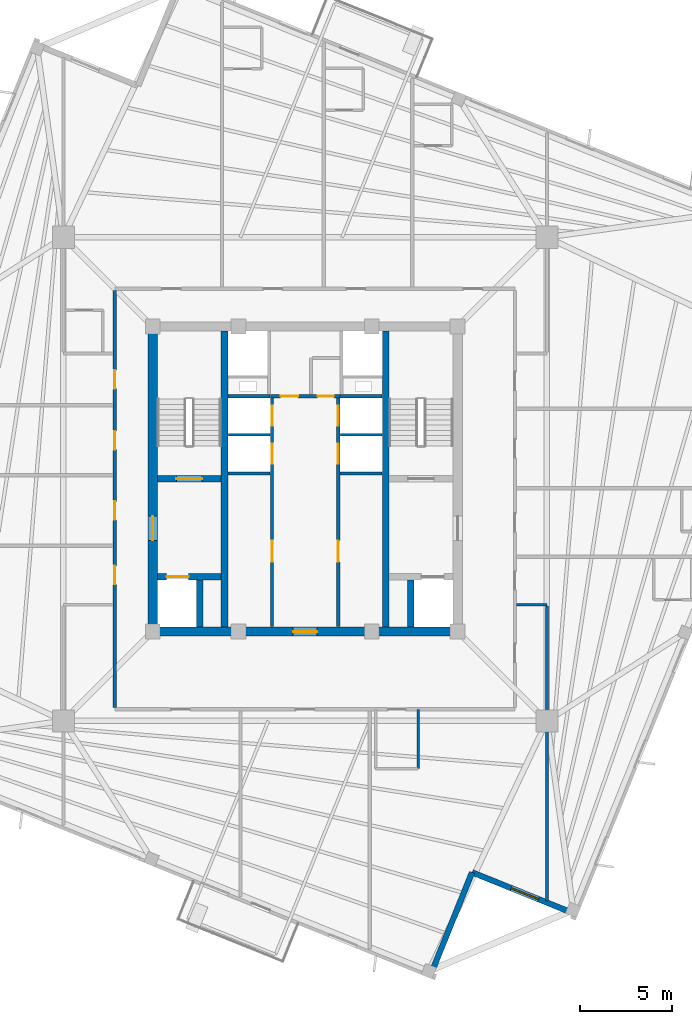
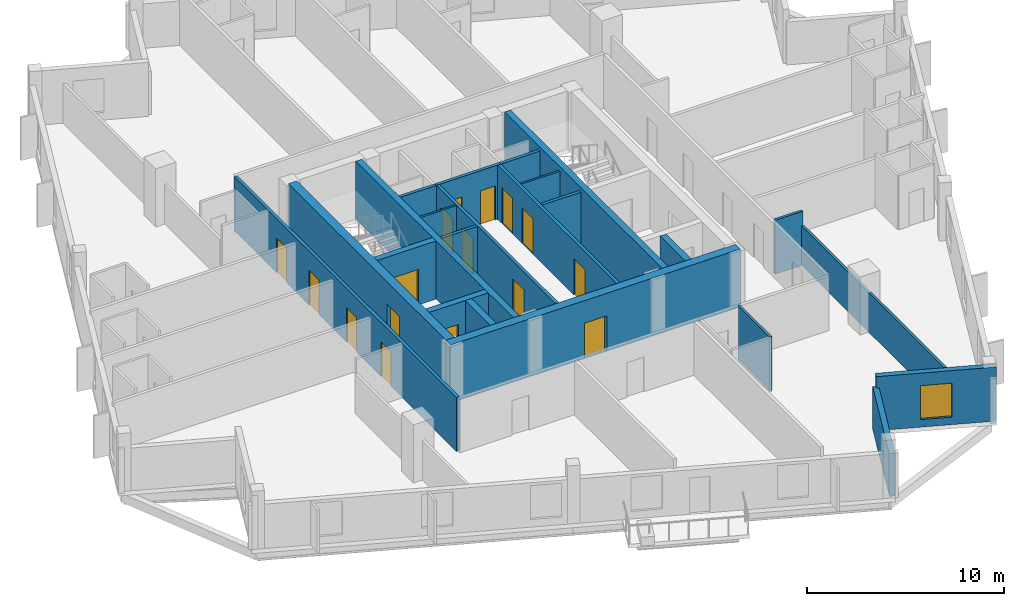
# One storey, part 3 of 9: 23 walls, 16 doors, 1 window, 17 openings.
"""IFC4 building model written with IfcOpenShell, lengths in metres."""

from ifc_helpers import new_model, si_unit, direction, frame, frame_2d, origin, place, context, subcontext, project, spatial, rectangle, extrude, source, transform, mapped, material, layer, layer_set, type_object, element, fill, save


model = new_model("IFC4")

# Units and contexts
model_context = context("Model", 3, precision=1e-05, world=origin(), true_north=direction((0.0, 1.0)))
body_context = subcontext(model_context, "Body", "Model", "MODEL_VIEW")
ifc_project = project(units=[si_unit("LENGTHUNIT", "METRE"), si_unit("AREAUNIT", "SQUARE_METRE"), si_unit("VOLUMEUNIT", "CUBIC_METRE"), si_unit("PLANEANGLEUNIT", "RADIAN"), si_unit("MASSUNIT", "GRAM", prefix="KILO"), si_unit("THERMODYNAMICTEMPERATUREUNIT", "KELVIN")], contexts=[model_context])

# Site, building, storey
site_placement = place(None, origin())
site = spatial("IfcSite", under=ifc_project, at=site_placement, CompositionType="ELEMENT")
building_placement = place(site_placement, origin())
building = spatial("IfcBuilding", under=site, at=building_placement, Name="Kosmvard Interchange Tower", CompositionType="ELEMENT")
storey_placement = place(building_placement, frame((0.0, 0.0, 297.60009765625)))
storey = spatial("IfcBuildingStorey", under=building, at=storey_placement, Name="L73", CompositionType="ELEMENT", Elevation=297.60009765625)

# Walls
ifc_material_1 = material(Name="Acoustic gypsum partition system")
ifc_layer_1 = layer(ifc_material_1, 0.14990234375, Name="Acoustic gypsum partition system")
ifc_layer_set_1 = layer_set([ifc_layer_1], Name="Acoustic gypsum partition system")
wall_type_1 = type_object("IfcWallType", Name="Acoustic Suite & Meeting Partition 150", PredefinedType="PARTITIONING", material=ifc_layer_set_1)
wall_1_placement = place(storey_placement, frame((11.445068359375, -6.800048828125, 0.0), z_axis=(0.0, 0.0, 1.0), x_axis=(1.0, 0.0, 0.0)))
element("IfcWall", 1, at=wall_1_placement, inside=storey, type_object=wall_type_1, Name="L73 Room Partition 16.1", PredefinedType="PARTITIONING", context=body_context, shape_type="SweptSolid", body=[
    extrude(rectangle(XDim=1.635986328125, YDim=0.14990234375, at=frame_2d((0.81787109375, 0.0))), origin(), (0.0, 0.0, 1.0), 3.349853515625),
])
wall_2_placement = place(storey_placement, frame((13.0810546875, -6.875, 0.0), z_axis=(0.0, 0.0, 1.0), x_axis=(0.0, -1.0, 0.0)))
element("IfcWall", 2, at=wall_2_placement, inside=storey, type_object=wall_type_1, Name="L73 Room Partition 17.1", PredefinedType="PARTITIONING", context=body_context, shape_type="SweptSolid", body=[
    extrude(rectangle(XDim=15.941650390625, YDim=0.14990234375, at=frame_2d((7.970703125, 0.0))), origin(), (0.0, 0.0, 1.0), 2.449951171875),
])

# Wall, openings, doors
ifc_material_2 = material(Name="Fire-rated gypsum partition system")
ifc_layer_2 = layer(ifc_material_2, 0.179931640625, Name="Fire-rated gypsum partition system")
ifc_layer_set_2 = layer_set([ifc_layer_2], Name="Fire-rated gypsum partition system")
wall_type_2 = type_object("IfcWallType", Name="Corridor & Hotel Compartment Partition 180", PredefinedType="PARTITIONING", material=ifc_layer_set_2)
wall_3_placement = place(storey_placement, frame((-1.7900390625, -7.97998046875, 0.0), z_axis=(0.0, 0.0, 1.0), x_axis=(0.0, 1.0, 0.0)))
wall_3 = element("IfcWall", 3, at=wall_3_placement, inside=storey, type_object=wall_type_2, Name="L73 West Lift Bank Front Wall", PredefinedType="PARTITIONING", context=body_context, shape_type="SweptSolid", body=[
    extrude(rectangle(XDim=12.3798828125, YDim=0.179931640625, at=frame_2d((6.18994140625, 0.0))), origin(), (0.0, 0.0, 1.0), 3.349853515625),
])
opening_1_placement = place(wall_3_placement, frame((8.800048828125, 0.0, 0.0)))
opening_1 = element("IfcOpeningElement", 4, at=opening_1_placement, cuts=wall_3, Name="Opening LD-PL-H1-L73", PredefinedType="OPENING", context=body_context, shape_type="SweptSolid", body=[
    extrude(rectangle(XDim=1.10009765625, YDim=2.199951171875, at=frame_2d((0.550048828125, 1.10009765625))), frame((0.0, 0.10009765625, 0.0), z_axis=(0.0, -1.0, 0.0), x_axis=(1.0, 0.0, 0.0)), (0.0, 0.0, 1.0), 0.199951171875),
])
opening_2_placement = place(wall_3_placement, frame((10.860107421875, 0.0, 0.0)))
opening_2 = element("IfcOpeningElement", 5, at=opening_2_placement, cuts=wall_3, Name="Opening LD-PL-H2-L73", PredefinedType="OPENING", context=body_context, shape_type="SweptSolid", body=[
    extrude(rectangle(XDim=1.10009765625, YDim=2.199951171875, at=frame_2d((0.550048828125, 1.10009765625))), frame((0.0, 0.10009765625, 0.0), z_axis=(0.0, -1.0, 0.0), x_axis=(1.0, 0.0, 0.0)), (0.0, 0.0, 1.0), 0.199951171875),
])
opening_3_placement = place(wall_3_placement, frame((3.5, 0.0, 0.0)))
opening_3 = element("IfcOpeningElement", 6, at=opening_3_placement, cuts=wall_3, Name="Opening L73-CD1", PredefinedType="OPENING", context=body_context, shape_type="SweptSolid", body=[
    extrude(rectangle(XDim=1.14990234375, YDim=2.25, at=frame_2d((0.574951171875, 1.125))), frame((0.0, 0.10009765625, 0.0), z_axis=(0.0, -1.0, 0.0), x_axis=(1.0, 0.0, 0.0)), (0.0, 0.0, 1.0), 0.199951171875),
])
ifc_material_3 = material(Name="Painted fire-rated steel leaf", Category="steel")
door_type_1 = type_object("IfcDoorType", Name="Plant & Riser Fire Door 1150x2250 EI60", OperationType="NOTDEFINED", PredefinedType="DOOR", material=ifc_material_3)
shared_shape_1 = source(origin(), body_context, "Body", "SweptSolid", [
    extrude(rectangle(XDim=1.14990234375, YDim=2.25, at=frame_2d((0.574951171875, 1.125))), frame((0.0, 0.02490234375, 0.0), z_axis=(0.0, -1.0, 0.0), x_axis=(1.0, 0.0, 0.0)), (0.0, 0.0, 1.0), 0.050048828125),
])
door_1_placement = place(opening_3_placement, origin())
door_1 = element("IfcDoor", 7, at=door_1_placement, inside=storey, type_object=door_type_1, Name="L73 Core Facility Store Door", OperationType="SINGLE_SWING_LEFT", OverallHeight=2.25, OverallWidth=1.14990234375, PredefinedType="DOOR", context=body_context, shape_type="MappedRepresentation", body=[
    mapped(shared_shape_1, transform((0.0, 0.0, 0.0), scale=1.0)),
])
fill(opening_3, door_1)
ifc_material_4 = material(Name="Brushed stainless steel sliding leaf", Category="steel")
door_type_2 = type_object("IfcDoorType", Name="Passenger Lift Sliding Landing Door 1100x2200 EI60", OperationType="DOUBLE_DOOR_SLIDING", PredefinedType="DOOR", material=ifc_material_4)
shared_shape_2 = source(origin(), body_context, "Body", "SweptSolid", [
    extrude(rectangle(XDim=1.10009765625, YDim=2.199951171875, at=frame_2d((0.550048828125, 1.10009765625))), frame((0.0, 0.02490234375, 0.0), z_axis=(0.0, -1.0, 0.0), x_axis=(1.0, 0.0, 0.0)), (0.0, 0.0, 1.0), 0.050048828125),
])
door_2_placement = place(opening_1_placement, frame((1.10009765625, 0.0, 0.0), z_axis=(0.0, 0.0, 1.0), x_axis=(-1.0, 0.0, 0.0)))
door_2 = element("IfcDoor", 8, at=door_2_placement, inside=storey, type_object=door_type_2, Name="Lift PL-H1 Landing Door L73", OperationType="DOUBLE_DOOR_SLIDING", OverallHeight=2.199951171875, OverallWidth=1.10009765625, PredefinedType="DOOR", context=body_context, shape_type="MappedRepresentation", body=[
    mapped(shared_shape_2, transform((0.0, 0.0, 0.0), scale=1.0)),
])
fill(opening_1, door_2)
door_3_placement = place(opening_2_placement, frame((1.10009765625, 0.0, 0.0), z_axis=(0.0, 0.0, 1.0), x_axis=(-1.0, 0.0, 0.0)))
door_3 = element("IfcDoor", 9, at=door_3_placement, inside=storey, type_object=door_type_2, Name="Lift PL-H2 Landing Door L73", OperationType="DOUBLE_DOOR_SLIDING", OverallHeight=2.199951171875, OverallWidth=1.10009765625, PredefinedType="DOOR", context=body_context, shape_type="MappedRepresentation", body=[
    mapped(shared_shape_2, transform((0.0, 0.0, 0.0), scale=1.0)),
])
fill(opening_2, door_3)

wall_4_placement = place(storey_placement, frame((1.7900390625, -7.97998046875, 0.0), z_axis=(0.0, 0.0, 1.0), x_axis=(0.0, 1.0, 0.0)))
wall_4 = element("IfcWall", 10, at=wall_4_placement, inside=storey, type_object=wall_type_2, Name="L73 East Lift Bank Front Wall", PredefinedType="PARTITIONING", context=body_context, shape_type="SweptSolid", body=[
    extrude(rectangle(XDim=12.3798828125, YDim=0.179931640625, at=frame_2d((6.18994140625, 0.0))), origin(), (0.0, 0.0, 1.0), 3.349853515625),
])
opening_4_placement = place(wall_4_placement, frame((8.800048828125, 0.0, 0.0)))
opening_4 = element("IfcOpeningElement", 11, at=opening_4_placement, cuts=wall_4, Name="Opening LD-PL-H3-L73", PredefinedType="OPENING", context=body_context, shape_type="SweptSolid", body=[
    extrude(rectangle(XDim=1.10009765625, YDim=2.199951171875, at=frame_2d((0.550048828125, 1.10009765625))), frame((0.0, 0.10009765625, 0.0), z_axis=(0.0, -1.0, 0.0), x_axis=(1.0, 0.0, 0.0)), (0.0, 0.0, 1.0), 0.199951171875),
])
opening_5_placement = place(wall_4_placement, frame((10.860107421875, 0.0, 0.0)))
opening_5 = element("IfcOpeningElement", 12, at=opening_5_placement, cuts=wall_4, Name="Opening LD-PL-H4-L73", PredefinedType="OPENING", context=body_context, shape_type="SweptSolid", body=[
    extrude(rectangle(XDim=1.10009765625, YDim=2.199951171875, at=frame_2d((0.550048828125, 1.10009765625))), frame((0.0, 0.10009765625, 0.0), z_axis=(0.0, -1.0, 0.0), x_axis=(1.0, 0.0, 0.0)), (0.0, 0.0, 1.0), 0.199951171875),
])
opening_6_placement = place(wall_4_placement, frame((3.5, 0.0, 0.0)))
opening_6 = element("IfcOpeningElement", 13, at=opening_6_placement, cuts=wall_4, Name="Opening L73-CD2", PredefinedType="OPENING", context=body_context, shape_type="SweptSolid", body=[
    extrude(rectangle(XDim=1.14990234375, YDim=2.25, at=frame_2d((0.574951171875, 1.125))), frame((0.0, 0.10009765625, 0.0), z_axis=(0.0, -1.0, 0.0), x_axis=(1.0, 0.0, 0.0)), (0.0, 0.0, 1.0), 0.199951171875),
])
door_4_placement = place(opening_6_placement, frame((1.14990234375, 0.0, 0.0), z_axis=(0.0, 0.0, 1.0), x_axis=(-1.0, 0.0, 0.0)))
door_4 = element("IfcDoor", 14, at=door_4_placement, inside=storey, type_object=door_type_1, Name="L73 Core BMS UPS Door", OperationType="SINGLE_SWING_RIGHT", OverallHeight=2.25, OverallWidth=1.14990234375, PredefinedType="DOOR", context=body_context, shape_type="MappedRepresentation", body=[
    mapped(shared_shape_1, transform((0.0, 0.0, 0.0), scale=1.0)),
])
fill(opening_6, door_4)
door_5_placement = place(opening_4_placement, origin())
door_5 = element("IfcDoor", 15, at=door_5_placement, inside=storey, type_object=door_type_2, Name="Lift PL-H3 Landing Door L73", OperationType="DOUBLE_DOOR_SLIDING", OverallHeight=2.199951171875, OverallWidth=1.10009765625, PredefinedType="DOOR", context=body_context, shape_type="MappedRepresentation", body=[
    mapped(shared_shape_2, transform((0.0, 0.0, 0.0), scale=1.0)),
])
fill(opening_4, door_5)
door_6_placement = place(opening_5_placement, origin())
door_6 = element("IfcDoor", 16, at=door_6_placement, inside=storey, type_object=door_type_2, Name="Lift PL-H4 Landing Door L73", OperationType="DOUBLE_DOOR_SLIDING", OverallHeight=2.199951171875, OverallWidth=1.10009765625, PredefinedType="DOOR", context=body_context, shape_type="MappedRepresentation", body=[
    mapped(shared_shape_2, transform((0.0, 0.0, 0.0), scale=1.0)),
])
fill(opening_5, door_6)

wall_5_placement = place(storey_placement, frame((-1.8798828125, 4.489990234375, 0.0), z_axis=(0.0, 0.0, 1.0), x_axis=(1.0, 0.0, 0.0)))
wall_5 = element("IfcWall", 17, at=wall_5_placement, inside=storey, type_object=wall_type_2, Name="L73 Lift Lobby North Partition", PredefinedType="PARTITIONING", context=body_context, shape_type="SweptSolid", body=[
    extrude(rectangle(XDim=3.759765625, YDim=0.179931640625, at=frame_2d((1.8798828125, 0.0))), origin(), (0.0, 0.0, 1.0), 3.349853515625),
])
opening_7_placement = place(wall_5_placement, frame((0.550048828125, 0.0, 0.0)))
opening_7 = element("IfcOpeningElement", 18, at=opening_7_placement, cuts=wall_5, Name="Opening L73-KD1", PredefinedType="OPENING", context=body_context, shape_type="SweptSolid", body=[
    extrude(rectangle(XDim=0.949951171875, YDim=2.10009765625, at=frame_2d((0.47509765625, 1.050048828125))), frame((0.0, 0.10009765625, 0.0), z_axis=(0.0, -1.0, 0.0), x_axis=(1.0, 0.0, 0.0)), (0.0, 0.0, 1.0), 0.199951171875),
])
opening_8_placement = place(wall_5_placement, frame((2.56005859375, 0.0, 0.0)))
opening_8 = element("IfcOpeningElement", 19, at=opening_8_placement, cuts=wall_5, Name="Opening L73-KD2", PredefinedType="OPENING", context=body_context, shape_type="SweptSolid", body=[
    extrude(rectangle(XDim=0.8798828125, YDim=2.10009765625, at=frame_2d((0.43994140625, 1.050048828125))), frame((0.0, 0.10009765625, 0.0), z_axis=(0.0, -1.0, 0.0), x_axis=(1.0, 0.0, 0.0)), (0.0, 0.0, 1.0), 0.199951171875),
])
ifc_material_5 = material(Name="Painted fire-rated timber leaf", Category="wood")
door_type_3 = type_object("IfcDoorType", Name="Core Service Fire Door 950x2100 EI30", OperationType="NOTDEFINED", PredefinedType="DOOR", material=ifc_material_5)
shared_shape_3 = source(origin(), body_context, "Body", "SweptSolid", [
    extrude(rectangle(XDim=0.949951171875, YDim=2.10009765625, at=frame_2d((0.47509765625, 1.050048828125))), frame((0.0, 0.02490234375, 0.0), z_axis=(0.0, -1.0, 0.0), x_axis=(1.0, 0.0, 0.0)), (0.0, 0.0, 1.0), 0.050048828125),
])
door_7_placement = place(opening_7_placement, origin())
door_7 = element("IfcDoor", 20, at=door_7_placement, inside=storey, type_object=door_type_3, Name="L73 Core Archive Store Door", OperationType="SINGLE_SWING_LEFT", OverallHeight=2.10009765625, OverallWidth=0.949951171875, PredefinedType="DOOR", context=body_context, shape_type="MappedRepresentation", body=[
    mapped(shared_shape_3, transform((0.0, 0.0, 0.0), scale=1.0)),
])
fill(opening_7, door_7)
door_type_4 = type_object("IfcDoorType", Name="Core Cupboard Fire Door 880x2100 EI30", OperationType="NOTDEFINED", PredefinedType="DOOR", material=ifc_material_5)
shared_shape_4 = source(origin(), body_context, "Body", "SweptSolid", [
    extrude(rectangle(XDim=0.8798828125, YDim=2.10009765625, at=frame_2d((0.43994140625, 1.050048828125))), frame((0.0, 0.02490234375, 0.0), z_axis=(0.0, -1.0, 0.0), x_axis=(1.0, 0.0, 0.0)), (0.0, 0.0, 1.0), 0.050048828125),
])
door_8_placement = place(opening_8_placement, origin())
door_8 = element("IfcDoor", 21, at=door_8_placement, inside=storey, type_object=door_type_4, Name="L73 Core Supplies Cupboard Door", OperationType="SINGLE_SWING_RIGHT", OverallHeight=2.10009765625, OverallWidth=0.8798828125, PredefinedType="DOOR", context=body_context, shape_type="MappedRepresentation", body=[
    mapped(shared_shape_4, transform((0.0, 0.0, 0.0), scale=1.0)),
])
fill(opening_8, door_8)

wall_6_placement = place(storey_placement, frame((-10.300048828125, -12.35009765625, 0.0), z_axis=(0.0, 0.0, 1.0), x_axis=(0.0, 1.0, 0.0)))
wall_6 = element("IfcWall", 22, at=wall_6_placement, inside=storey, type_object=wall_type_2, Name="L73 Corridor Wall CW", PredefinedType="PARTITIONING", context=body_context, shape_type="SweptSolid", body=[
    extrude(rectangle(XDim=22.550048828125, YDim=0.179931640625, at=frame_2d((11.27490234375, 0.0))), origin(), (0.0, 0.0, 1.0), 3.349853515625),
])
opening_9_placement = place(wall_6_placement, frame((13.949951171875, 0.0, 0.0)))
opening_9 = element("IfcOpeningElement", 23, at=opening_9_placement, cuts=wall_6, Name="Opening L73-D02", PredefinedType="OPENING", context=body_context, shape_type="SweptSolid", body=[
    extrude(rectangle(XDim=1.0, YDim=2.14990234375, at=frame_2d((0.5, 1.074951171875))), frame((0.0, 0.10009765625, 0.0), z_axis=(0.0, -1.0, 0.0), x_axis=(1.0, 0.0, 0.0)), (0.0, 0.0, 1.0), 0.199951171875),
])
opening_10_placement = place(wall_6_placement, frame((17.25, 0.0, 0.0)))
opening_10 = element("IfcOpeningElement", 24, at=opening_10_placement, cuts=wall_6, Name="Opening L73-D04", PredefinedType="OPENING", context=body_context, shape_type="SweptSolid", body=[
    extrude(rectangle(XDim=1.0, YDim=2.14990234375, at=frame_2d((0.5, 1.074951171875))), frame((0.0, 0.10009765625, 0.0), z_axis=(0.0, -1.0, 0.0), x_axis=(1.0, 0.0, 0.0)), (0.0, 0.0, 1.0), 0.199951171875),
])
opening_11_placement = place(wall_6_placement, frame((6.64990234375, 0.0, 0.0)))
opening_11 = element("IfcOpeningElement", 25, at=opening_11_placement, cuts=wall_6, Name="Opening L73-D25", PredefinedType="OPENING", context=body_context, shape_type="SweptSolid", body=[
    extrude(rectangle(XDim=1.0, YDim=2.14990234375, at=frame_2d((0.5, 1.074951171875))), frame((0.0, 0.10009765625, 0.0), z_axis=(0.0, -1.0, 0.0), x_axis=(1.0, 0.0, 0.0)), (0.0, 0.0, 1.0), 0.199951171875),
])
opening_12_placement = place(wall_6_placement, frame((10.14990234375, 0.0, 0.0)))
opening_12 = element("IfcOpeningElement", 26, at=opening_12_placement, cuts=wall_6, Name="Opening L73-D26", PredefinedType="OPENING", context=body_context, shape_type="SweptSolid", body=[
    extrude(rectangle(XDim=1.0, YDim=2.14990234375, at=frame_2d((0.5, 1.074951171875))), frame((0.0, 0.10009765625, 0.0), z_axis=(0.0, -1.0, 0.0), x_axis=(1.0, 0.0, 0.0)), (0.0, 0.0, 1.0), 0.199951171875),
])
ifc_material_6 = material(Name="Engineered oak fire-rated timber", Category="wood")
door_type_5 = type_object("IfcDoorType", Name="Hotel Guestroom Entrance Door 1000x2150 EI60", OperationType="NOTDEFINED", PredefinedType="DOOR", material=ifc_material_6)
shared_shape_5 = source(origin(), body_context, "Body", "SweptSolid", [
    extrude(rectangle(XDim=1.0, YDim=2.14990234375, at=frame_2d((0.5, 1.074951171875))), frame((0.0, 0.02490234375, 0.0), z_axis=(0.0, -1.0, 0.0), x_axis=(1.0, 0.0, 0.0)), (0.0, 0.0, 1.0), 0.050048828125),
])
door_9_placement = place(opening_9_placement, origin())
door_9 = element("IfcDoor", 27, at=door_9_placement, inside=storey, type_object=door_type_5, Name="L73 Hotel Deluxe Guest Room 1 Door", OperationType="SINGLE_SWING_RIGHT", OverallHeight=2.14990234375, OverallWidth=1.0, PredefinedType="DOOR", context=body_context, shape_type="MappedRepresentation", body=[
    mapped(shared_shape_5, transform((0.0, 0.0, 0.0), scale=1.0)),
])
fill(opening_9, door_9)
door_10_placement = place(opening_10_placement, origin())
door_10 = element("IfcDoor", 28, at=door_10_placement, inside=storey, type_object=door_type_5, Name="L73 Hotel Deluxe Junior Suite 2 Door", OperationType="SINGLE_SWING_RIGHT", OverallHeight=2.14990234375, OverallWidth=1.0, PredefinedType="DOOR", context=body_context, shape_type="MappedRepresentation", body=[
    mapped(shared_shape_5, transform((0.0, 0.0, 0.0), scale=1.0)),
])
fill(opening_10, door_10)
door_11_placement = place(opening_11_placement, origin())
door_11 = element("IfcDoor", 29, at=door_11_placement, inside=storey, type_object=door_type_5, Name="L73 Hotel Refreshment Pantry Door", OperationType="SINGLE_SWING_LEFT", OverallHeight=2.14990234375, OverallWidth=1.0, PredefinedType="DOOR", context=body_context, shape_type="MappedRepresentation", body=[
    mapped(shared_shape_5, transform((0.0, 0.0, 0.0), scale=1.0)),
])
fill(opening_11, door_11)
door_12_placement = place(opening_12_placement, origin())
door_12 = element("IfcDoor", 30, at=door_12_placement, inside=storey, type_object=door_type_5, Name="L73 Hotel Corner Suite 4 Door", OperationType="SINGLE_SWING_RIGHT", OverallHeight=2.14990234375, OverallWidth=1.0, PredefinedType="DOOR", context=body_context, shape_type="MappedRepresentation", body=[
    mapped(shared_shape_5, transform((0.0, 0.0, 0.0), scale=1.0)),
])
fill(opening_12, door_12)

# Walls
ifc_material_7 = material(Name="Concrete blockwork masonry", Category="masonry")
ifc_layer_3 = layer(ifc_material_7, 0.179931640625, Name="Concrete blockwork masonry")
ifc_layer_set_3 = layer_set([ifc_layer_3], Name="Concrete blockwork masonry")
wall_type_3 = type_object("IfcWallType", Name="Riser & Lift Bank Divider Wall 180", PredefinedType="PARTITIONING", material=ifc_layer_set_3)
for number, where, z_axis, x_axis, name in (
    (31, (-4.169921875, 0.300048828125, 0.0), (0.0, 0.0, 1.0), (1.0, 0.0, 0.0), "L73 West Bank Divider BD2"),
    (32, (1.889892578125, 0.300048828125, 0.0), (0.0, 0.0, 1.0), (1.0, 0.0, 0.0), "L73 East Bank Divider BD2"),
    (33, (-4.169921875, 4.489990234375, 0.0), (0.0, 0.0, 1.0), (1.0, 0.0, 0.0), "L73 West Bank Divider BD3"),
    (34, (1.889892578125, 4.489990234375, 0.0), (0.0, 0.0, 1.0), (1.0, 0.0, 0.0), "L73 East Bank Divider BD3"),
):
    element("IfcWall", number, at=place(storey_placement, frame(where, z_axis=z_axis, x_axis=x_axis)), inside=storey, type_object=wall_type_3, Name=name, PredefinedType="PARTITIONING", context=body_context, shape_type="SweptSolid", body=[
        extrude(rectangle(XDim=2.280029296875, YDim=0.179931640625, at=frame_2d((1.14013671875, 0.0))), origin(), (0.0, 0.0, 1.0), 3.349853515625),
    ])
ifc_material_8 = material(Name="Fire-rated gypsum shaftwall system")
ifc_layer_4 = layer(ifc_material_8, 0.1201171875, Name="Fire-rated gypsum shaftwall system")
ifc_layer_set_4 = layer_set([ifc_layer_4], Name="Fire-rated gypsum shaftwall system")
wall_type_4 = type_object("IfcWallType", Name="Shaft & Riser Fire Partition 120 EI60", PredefinedType="PARTITIONING", material=ifc_layer_set_4)
for number, where, z_axis, x_axis, name in (
    (35, (-4.159912109375, 2.39990234375, 0.0), (0.0, 0.0, 1.0), (1.0, 0.0, 0.0), "L73 Shaft Divider PL-H1"),
    (36, (1.89990234375, 2.39990234375, 0.0), (0.0, 0.0, 1.0), (1.0, 0.0, 0.0), "L73 Shaft Divider PL-H3"),
):
    element("IfcWall", number, at=place(storey_placement, frame(where, z_axis=z_axis, x_axis=x_axis)), inside=storey, type_object=wall_type_4, Name=name, PredefinedType="PARTITIONING", context=body_context, shape_type="SweptSolid", body=[
        extrude(rectangle(XDim=2.260009765625, YDim=0.1201171875, at=frame_2d((1.1298828125, 0.0))), origin(), (0.0, 0.0, 1.0), 3.349853515625),
    ])
ifc_material_9 = material(Name="Concrete C60/75", Category="concrete")
ifc_layer_5 = layer(ifc_material_9, 0.360107421875, Name="Concrete C60/75")
ifc_layer_set_5 = layer_set([ifc_layer_5], Name="Concrete C60/75")
wall_type_5 = type_object("IfcWallType", Name="Stair & Lift Shaft Shear Wall 360 C60/75", PredefinedType="SHEAR", material=ifc_layer_set_5)
for number, where, z_axis, x_axis, name in (
    (37, (-4.360107421875, -8.0, 0.0), (0.0, 0.0, 1.0), (0.0, 1.0, 0.0), "L73 Shaft Shear Wall SW-W"),
    (38, (4.360107421875, -8.0, 0.0), (0.0, 0.0, 1.0), (0.0, 1.0, 0.0), "L73 Shaft Shear Wall SW-E"),
):
    element("IfcWall", number, at=place(storey_placement, frame(where, z_axis=z_axis, x_axis=x_axis)), inside=storey, type_object=wall_type_5, Name=name, PredefinedType="SHEAR", context=body_context, shape_type="SweptSolid", body=[
        extrude(rectangle(XDim=16.0, YDim=0.360107421875, at=frame_2d((8.0, 0.0))), origin(), (0.0, 0.0, 1.0), 3.599853515625),
    ])

# Wall, opening, door
wall_7_placement = place(storey_placement, frame((-8.0, 0.02001953125, 0.0), z_axis=(0.0, 0.0, 1.0), x_axis=(1.0, 0.0, 0.0)))
wall_7 = element("IfcWall", 39, at=wall_7_placement, inside=storey, type_object=wall_type_5, Name="L73 Shaft Shear Wall SW-ST1", PredefinedType="SHEAR", context=body_context, shape_type="SweptSolid", body=[
    extrude(rectangle(XDim=3.4599609375, YDim=0.360107421875, at=frame_2d((1.72998046875, 0.0))), origin(), (0.0, 0.0, 1.0), 3.599853515625),
])
opening_13_placement = place(wall_7_placement, frame((1.030029296875, 0.0, 0.0)))
opening_13 = element("IfcOpeningElement", 40, at=opening_13_placement, cuts=wall_7, Name="Opening L73-SD1", PredefinedType="OPENING", context=body_context, shape_type="SweptSolid", body=[
    extrude(rectangle(XDim=1.39990234375, YDim=2.199951171875, at=frame_2d((0.699951171875, 1.10009765625))), frame((0.0, 0.18994140625, 0.0), z_axis=(0.0, -1.0, 0.0), x_axis=(1.0, 0.0, 0.0)), (0.0, 0.0, 1.0), 0.380126953125),
])
door_type_6 = type_object("IfcDoorType", Name="Protected Stair Door 1400x2200 FD60S", OperationType="NOTDEFINED", PredefinedType="DOOR", material=ifc_material_3)
shared_shape_6 = source(origin(), body_context, "Body", "SweptSolid", [
    extrude(rectangle(XDim=1.39990234375, YDim=2.199951171875, at=frame_2d((0.699951171875, 1.10009765625))), frame((0.0, 0.02490234375, 0.0), z_axis=(0.0, -1.0, 0.0), x_axis=(1.0, 0.0, 0.0)), (0.0, 0.0, 1.0), 0.050048828125),
])
door_13_placement = place(opening_13_placement, origin())
door_13 = element("IfcDoor", 41, at=door_13_placement, inside=storey, type_object=door_type_6, Name="L73 Stair ST-1 Enclosure Door", OperationType="SINGLE_SWING_LEFT", OverallHeight=2.199951171875, OverallWidth=1.39990234375, PredefinedType="DOOR", context=body_context, shape_type="MappedRepresentation", body=[
    mapped(shared_shape_6, transform((0.0, 0.0, 0.0), scale=1.0)),
])
fill(opening_13, door_13)

wall_8_placement = place(storey_placement, frame((-8.0, -5.280029296875, 0.0), z_axis=(0.0, 0.0, 1.0), x_axis=(1.0, 0.0, 0.0)))
wall_8 = element("IfcWall", 42, at=wall_8_placement, inside=storey, type_object=wall_type_5, Name="L73 Shaft Shear Wall SW-FF1", PredefinedType="SHEAR", context=body_context, shape_type="SweptSolid", body=[
    extrude(rectangle(XDim=3.4599609375, YDim=0.360107421875, at=frame_2d((1.72998046875, 0.0))), origin(), (0.0, 0.0, 1.0), 3.599853515625),
])
opening_14_placement = place(wall_8_placement, frame((0.5, 0.0, 0.0)))
opening_14 = element("IfcOpeningElement", 43, at=opening_14_placement, cuts=wall_8, Name="Opening LD-FF-1-L73", PredefinedType="OPENING", context=body_context, shape_type="SweptSolid", body=[
    extrude(rectangle(XDim=1.199951171875, YDim=2.25, at=frame_2d((0.60009765625, 1.125))), frame((0.0, 0.18994140625, 0.0), z_axis=(0.0, -1.0, 0.0), x_axis=(1.0, 0.0, 0.0)), (0.0, 0.0, 1.0), 0.380126953125),
])
door_type_7 = type_object("IfcDoorType", Name="Firefighting Lift Sliding Landing Door 1200x2250 EI120", OperationType="DOUBLE_DOOR_SLIDING", PredefinedType="DOOR", material=ifc_material_4)
shared_shape_7 = source(origin(), body_context, "Body", "SweptSolid", [
    extrude(rectangle(XDim=1.199951171875, YDim=2.25, at=frame_2d((0.60009765625, 1.125))), frame((0.0, 0.02490234375, 0.0), z_axis=(0.0, -1.0, 0.0), x_axis=(1.0, 0.0, 0.0)), (0.0, 0.0, 1.0), 0.050048828125),
])
door_14_placement = place(opening_14_placement, origin())
door_14 = element("IfcDoor", 44, at=door_14_placement, inside=storey, type_object=door_type_7, Name="Lift FF-1 Landing Door L73", OperationType="DOUBLE_DOOR_SLIDING", OverallHeight=2.25, OverallWidth=1.199951171875, PredefinedType="DOOR", context=body_context, shape_type="MappedRepresentation", body=[
    mapped(shared_shape_7, transform((0.0, 0.0, 0.0), scale=1.0)),
])
fill(opening_14, door_14)

# Walls
for number, where, z_axis, x_axis, name in (
    (45, (-5.7099609375, -8.0, 0.0), (0.0, 0.0, 1.0), (0.0, 1.0, 0.0), "L73 Shaft Shear Wall SW-SM1"),
    (46, (5.7099609375, -8.0, 0.0), (0.0, 0.0, 1.0), (0.0, 1.0, 0.0), "L73 Shaft Shear Wall SW-SM2"),
):
    element("IfcWall", number, at=place(storey_placement, frame(where, z_axis=z_axis, x_axis=x_axis)), inside=storey, type_object=wall_type_5, Name=name, PredefinedType="SHEAR", context=body_context, shape_type="SweptSolid", body=[
        extrude(rectangle(XDim=2.5400390625, YDim=0.360107421875, at=frame_2d((1.27001953125, 0.0))), origin(), (0.0, 0.0, 1.0), 3.599853515625),
    ])

# Wall, opening, door
ifc_layer_6 = layer(ifc_material_9, 0.5, Name="Concrete C60/75")
ifc_layer_set_6 = layer_set([ifc_layer_6], Name="Concrete C60/75")
wall_type_6 = type_object("IfcWallType", Name="Upper Core Shear Wall 500 C60/75", PredefinedType="SHEAR", material=ifc_layer_set_6)
wall_9_placement = place(storey_placement, frame((-8.5, -8.25, 0.0), z_axis=(0.0, 0.0, 1.0), x_axis=(1.0, 0.0, 0.0)))
wall_9 = element("IfcWall", 47, at=wall_9_placement, inside=storey, type_object=wall_type_6, Name="L73 Core Shear Wall CW-S", PredefinedType="SHEAR", context=body_context, shape_type="SweptSolid", body=[
    extrude(rectangle(XDim=17.0, YDim=0.5, at=frame_2d((8.5, 0.0))), origin(), (0.0, 0.0, 1.0), 3.599853515625),
])
opening_15_placement = place(wall_9_placement, frame((7.85009765625, 0.0, 0.0)))
opening_15 = element("IfcOpeningElement", 48, at=opening_15_placement, cuts=wall_9, Name="Opening L73-LD0", PredefinedType="OPENING", context=body_context, shape_type="SweptSolid", body=[
    extrude(rectangle(XDim=1.300048828125, YDim=2.199951171875, at=frame_2d((0.64990234375, 1.10009765625))), frame((0.0, 0.260009765625, 0.0), z_axis=(0.0, -1.0, 0.0), x_axis=(1.0, 0.0, 0.0)), (0.0, 0.0, 1.0), 0.52001953125),
])
door_type_8 = type_object("IfcDoorType", Name="Firefighting Lobby Door 1300x2200 EI60", OperationType="NOTDEFINED", PredefinedType="DOOR", material=ifc_material_3)
shared_shape_8 = source(origin(), body_context, "Body", "SweptSolid", [
    extrude(rectangle(XDim=1.300048828125, YDim=2.199951171875, at=frame_2d((0.64990234375, 1.10009765625))), frame((0.0, 0.02490234375, 0.0), z_axis=(0.0, -1.0, 0.0), x_axis=(1.0, 0.0, 0.0)), (0.0, 0.0, 1.0), 0.050048828125),
])
door_15_placement = place(opening_15_placement, frame((1.300048828125, 0.0, 0.0), z_axis=(0.0, 0.0, 1.0), x_axis=(-1.0, 0.0, 0.0)))
door_15 = element("IfcDoor", 49, at=door_15_placement, inside=storey, type_object=door_type_8, Name="L73 Passenger Lift Lobby South Door", OperationType="SINGLE_SWING_RIGHT", OverallHeight=2.199951171875, OverallWidth=1.300048828125, PredefinedType="DOOR", context=body_context, shape_type="MappedRepresentation", body=[
    mapped(shared_shape_8, transform((0.0, 0.0, 0.0), scale=1.0)),
])
fill(opening_15, door_15)

wall_10_placement = place(storey_placement, frame((-8.25, -8.0, 0.0), z_axis=(0.0, 0.0, 1.0), x_axis=(0.0, 1.0, 0.0)))
wall_10 = element("IfcWall", 50, at=wall_10_placement, inside=storey, type_object=wall_type_6, Name="L73 Core Shear Wall CW-W", PredefinedType="SHEAR", context=body_context, shape_type="SweptSolid", body=[
    extrude(rectangle(XDim=16.0, YDim=0.5, at=frame_2d((8.0, 0.0))), origin(), (0.0, 0.0, 1.0), 3.599853515625),
])
opening_16_placement = place(wall_10_placement, frame((4.68994140625, 0.0, 0.0)))
opening_16 = element("IfcOpeningElement", 51, at=opening_16_placement, cuts=wall_10, Name="Opening L73-FD1", PredefinedType="OPENING", context=body_context, shape_type="SweptSolid", body=[
    extrude(rectangle(XDim=1.300048828125, YDim=2.199951171875, at=frame_2d((0.64990234375, 1.10009765625))), frame((0.0, 0.260009765625, 0.0), z_axis=(0.0, -1.0, 0.0), x_axis=(1.0, 0.0, 0.0)), (0.0, 0.0, 1.0), 0.52001953125),
])
door_16_placement = place(opening_16_placement, frame((1.300048828125, 0.0, 0.0), z_axis=(0.0, 0.0, 1.0), x_axis=(-1.0, 0.0, 0.0)))
door_16 = element("IfcDoor", 52, at=door_16_placement, inside=storey, type_object=door_type_8, Name="L73 Firefighting Lobby West Door", OperationType="SINGLE_SWING_LEFT", OverallHeight=2.199951171875, OverallWidth=1.300048828125, PredefinedType="DOOR", context=body_context, shape_type="MappedRepresentation", body=[
    mapped(shared_shape_8, transform((0.0, 0.0, 0.0), scale=1.0)),
])
fill(opening_16, door_16)

# Wall
ifc_material_10 = material(Name="Precast concrete C45/55", Category="concrete")
ifc_layer_7 = layer(ifc_material_10, 0.31005859375, Name="Precast concrete C45/55")
ifc_layer_set_7 = layer_set([ifc_layer_7], Name="Precast concrete C45/55")
wall_type_7 = type_object("IfcWallType", Name="Upper Tower Precast Pier Wall 310 C45/55", PredefinedType="STANDARD", material=ifc_layer_set_7)
wall_11_placement = place(storey_placement, frame((6.7841796875, -26.8408203125, 0.0), z_axis=(0.0, 0.0, 1.0), x_axis=(0.374636620962, 0.927171722085, 0.0)))
element("IfcWall", 53, at=wall_11_placement, inside=storey, type_object=wall_type_7, Name="L73 Precast Facade Wall N-SW1", PredefinedType="STANDARD", context=body_context, shape_type="SweptSolid", body=[
    extrude(rectangle(XDim=6.0, YDim=0.31005859375, at=frame_2d((3.0, 0.0))), origin(), (0.0, 0.0, 1.0), 2.64990234375),
])

# Wall, opening, window
wall_12_placement = place(storey_placement, frame((9.031982421875, -21.27783203125, 0.0), z_axis=(0.0, 0.0, 1.0), x_axis=(0.927185411764, -0.374602739196, 0.0)))
wall_12 = element("IfcWall", 54, at=wall_12_placement, inside=storey, type_object=wall_type_7, Name="L73 Precast Facade Wall N-SW2", PredefinedType="STANDARD", context=body_context, shape_type="SweptSolid", body=[
    extrude(rectangle(XDim=6.155029296875, YDim=0.31005859375, at=frame_2d((3.07763671875, 0.0))), origin(), (0.0, 0.0, 1.0), 3.349853515625),
])
opening_17_placement = place(wall_12_placement, frame((2.277587890625, 0.0, 0.469970703125)))
opening_17 = element("IfcOpeningElement", 55, at=opening_17_placement, cuts=wall_12, Name="Opening L73-W22", PredefinedType="OPENING", context=body_context, shape_type="SweptSolid", body=[
    extrude(rectangle(XDim=1.60009765625, YDim=2.10009765625, at=frame_2d((0.800048828125, 1.050048828125))), frame((0.0, 0.1650390625, 0.0), z_axis=(0.0, -1.0, 0.0), x_axis=(1.0, 0.0, 0.0)), (0.0, 0.0, 1.0), 0.330078125),
])
ifc_material_11 = material(Name="Low-E acoustic double glazing", Category="glass")
window_type = type_object("IfcWindowType", Name="Zone 5 Hotel Punched Window 1600x2100", PartitioningType="SINGLE_PANEL", PredefinedType="WINDOW", material=ifc_material_11)
shared_shape_9 = source(origin(), body_context, "Body", "SweptSolid", [
    extrude(rectangle(XDim=1.60009765625, YDim=2.10009765625, at=frame_2d((0.800048828125, 1.050048828125))), frame((0.0, 0.030029296875, 0.0), z_axis=(0.0, -1.0, 0.0), x_axis=(1.0, 0.0, 0.0)), (0.0, 0.0, 1.0), 0.06005859375),
])
window_placement = place(opening_17_placement, origin())
window = element("IfcWindow", 56, at=window_placement, inside=storey, type_object=window_type, Name="L73 Corner Notch Window 22", OverallHeight=2.10009765625, OverallWidth=1.60009765625, PartitioningType="SINGLE_PANEL", PredefinedType="WINDOW", context=body_context, shape_type="MappedRepresentation", body=[
    mapped(shared_shape_9, transform((0.0, 0.0, 0.0), scale=1.0)),
])
fill(opening_17, window)

# Wall
ifc_material_12 = material(Name="Moisture-resistant gypsum partition")
ifc_layer_8 = layer(ifc_material_12, 0.135009765625, Name="Moisture-resistant gypsum partition")
ifc_layer_set_8 = layer_set([ifc_layer_8], Name="Moisture-resistant gypsum partition")
wall_type_8 = type_object("IfcWallType", Name="Wet Room Moisture-Resistant Partition 135", PredefinedType="PARTITIONING", material=ifc_layer_set_8)
wall_13_placement = place(storey_placement, frame((6.111083984375, -15.669921875, 0.0), z_axis=(0.0, 0.0, 1.0), x_axis=(0.0, 1.0, 0.0)))
element("IfcWall", 57, at=wall_13_placement, inside=storey, type_object=wall_type_8, Name="L73 Washroom Partition HAWC-E", PredefinedType="PARTITIONING", context=body_context, shape_type="SweptSolid", body=[
    extrude(rectangle(XDim=3.199951171875, YDim=0.135009765625, at=frame_2d((1.60009765625, 0.0))), origin(), (0.0, 0.0, 1.0), 3.349853515625),
])

save(model, "model.ifc")
